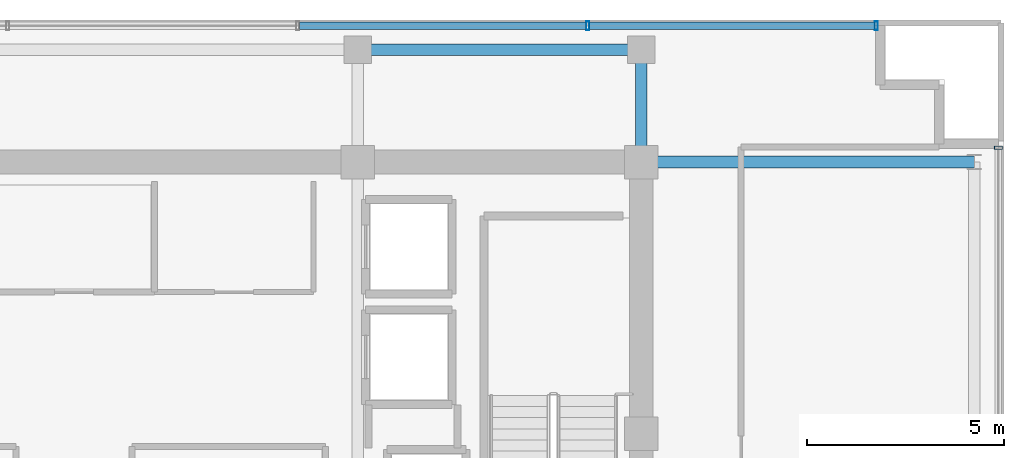
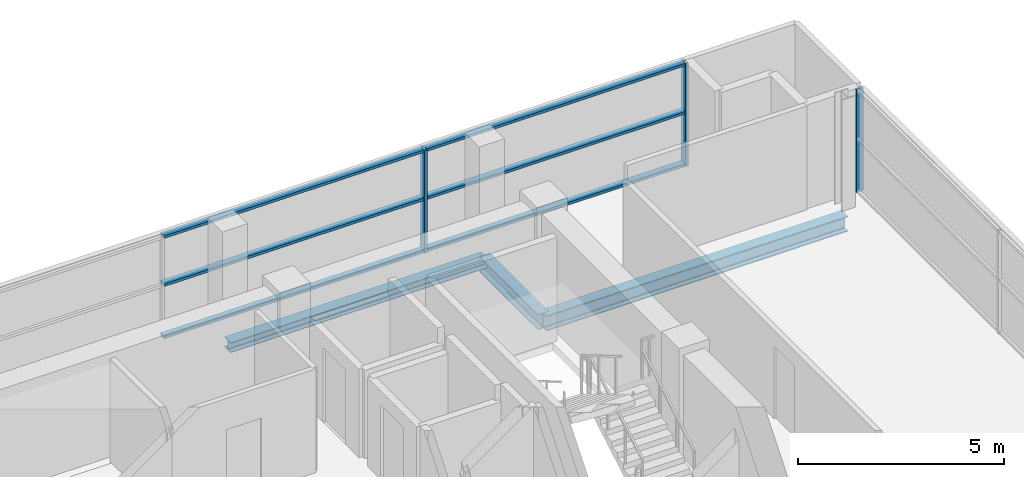
# One storey, part 13 of 21: 9 members, 3 beams, 2 elements without a shape of their own.
"""IFC4 building model written with IfcOpenShell, lengths in metres."""

from ifc_helpers import new_model, si_unit, direction, frame, origin, origin_2d, place, context, subcontext, project, spatial, hollow_rectangle, i_section, extrude, source, transform, mapped, material, layer, layer_set, material_profile, profile_set, type_object, element, aggregate, save


model = new_model("IFC4")

# Units and contexts
model_context = context("Model", 3, precision=1e-05, world=origin(), true_north=direction((0.0, 1.0)))
body_context = subcontext(model_context, "Body", "Model", "MODEL_VIEW")
ifc_project = project(units=[si_unit("LENGTHUNIT", "METRE"), si_unit("AREAUNIT", "SQUARE_METRE"), si_unit("VOLUMEUNIT", "CUBIC_METRE"), si_unit("PLANEANGLEUNIT", "RADIAN"), si_unit("MASSUNIT", "GRAM", prefix="KILO")], contexts=[model_context])

# Site, building, storey
site_placement = place(None, origin())
site = spatial("IfcSite", under=ifc_project, at=site_placement, CompositionType="ELEMENT")
building_placement = place(site_placement, origin())
building = spatial("IfcBuilding", under=site, at=building_placement, Name="Zarnakvel Exchange Tower", CompositionType="ELEMENT")
storey_placement = place(building_placement, frame((0.0, 0.0, 241.89990234375)))
storey = spatial("IfcBuildingStorey", under=building, at=storey_placement, Name="L68", CompositionType="ELEMENT", Elevation=241.89990234375)

# Beams
ifc_material_1 = material(Name="Steel S355", Category="steel")
ifc_material_profile_1 = material_profile(ifc_material_1, i_section(OverallWidth=0.300048828125, OverallDepth=0.449951171875, WebThickness=0.013916015625, FlangeThickness=0.02587890625, FilletRadius=0.027099609375, at=origin_2d()))
ifc_profile_set_1 = profile_set([ifc_material_profile_1], Name="Steel S355")
beam_type_1 = type_object("IfcBeamType", Name="G-07", PredefinedType="BEAM", material=ifc_profile_set_1)
beam_1_placement = place(storey_placement, frame((14.39990234375, 13.5, -0.449951171875), z_axis=(1.0, 0.0, 0.0), x_axis=(0.0, 1.0, 0.0)))
element("IfcBeam", 1, at=beam_1_placement, inside=storey, type_object=beam_type_1, Name="L68 Tower E-W Frame Beam", PredefinedType="BEAM", context=body_context, shape_type="SweptSolid", body=[
    extrude(i_section(OverallWidth=0.300048828125, OverallDepth=0.449951171875, WebThickness=0.013916015625, FlangeThickness=0.02587890625, FilletRadius=0.027099609375, at=origin_2d()), origin(), (0.0, 0.0, 1.0), 8.4501953125),
])
beam_2_placement = place(storey_placement, frame((14.39990234375, 13.5, -0.449951171875), z_axis=(0.0, 1.0, 0.0), x_axis=(-1.0, 0.0, 0.0)))
element("IfcBeam", 2, at=beam_2_placement, inside=storey, type_object=beam_type_1, Name="L68 Tower N-S Frame Beam", PredefinedType="BEAM", context=body_context, shape_type="SweptSolid", body=[
    extrude(i_section(OverallWidth=0.300048828125, OverallDepth=0.449951171875, WebThickness=0.013916015625, FlangeThickness=0.02587890625, FilletRadius=0.027099609375, at=origin_2d()), origin(), (0.0, 0.0, 1.0), 2.85009765625),
])
ifc_material_profile_2 = material_profile(ifc_material_1, i_section(OverallWidth=0.300048828125, OverallDepth=0.300048828125, WebThickness=0.010986328125, FlangeThickness=0.01904296875, FilletRadius=0.027099609375, at=origin_2d()))
ifc_profile_set_2 = profile_set([ifc_material_profile_2], Name="Steel S355")
beam_type_2 = type_object("IfcBeamType", Name="SP-03", PredefinedType="SPANDREL", material=ifc_profile_set_2)
beam_3_placement = place(storey_placement, frame((7.199951171875, 16.35009765625, -0.375), z_axis=(1.0, 0.0, 0.0), x_axis=(0.0, 1.0, 0.0)))
element("IfcBeam", 3, at=beam_3_placement, inside=storey, type_object=beam_type_2, Name="L68 Tower E-W Frame Beam", PredefinedType="SPANDREL", context=body_context, shape_type="SweptSolid", body=[
    extrude(i_section(OverallWidth=0.300048828125, OverallDepth=0.300048828125, WebThickness=0.010986328125, FlangeThickness=0.01904296875, FilletRadius=0.027099609375, at=origin_2d()), origin(), (0.0, 0.0, 1.0), 7.199951171875),
])

# Curtain wall, member
ifc_material_2 = material(Name="Architectural Bronze Anodised Aluminium", Category="aluminium")
ifc_layer_1 = layer(ifc_material_2, 0.199951171875)
ifc_layer_set_1 = layer_set([ifc_layer_1], Name="Architectural Bronze Anodised Aluminium")
curtain_wall_type_1 = type_object("IfcCurtainWallType", Name="CW-04", PredefinedType="NOTDEFINED", material=ifc_layer_set_1)
curtain_wall_1_placement = place(storey_placement, origin())
curtain_wall_1 = element("IfcCurtainWall", 4, at=curtain_wall_1_placement, inside=storey, type_object=curtain_wall_type_1, Name="L68 Curtain Wall CW-L68-E1 (CW-04)", PredefinedType="NOTDEFINED")
ifc_material_profile_3 = material_profile(ifc_material_2, hollow_rectangle(XDim=0.199951171875, YDim=0.074951171875, WallThickness=0.0048828125, at=origin_2d()))
ifc_profile_set_3 = profile_set([ifc_material_profile_3], Name="Architectural Bronze Anodised Aluminium")
member_type_1 = type_object("IfcMemberType", Name="CWM-04", PredefinedType="MULLION", material=ifc_profile_set_3)
shared_shape_1 = source(origin(), body_context, "Body", "SweptSolid", [
    extrude(hollow_rectangle(XDim=0.199951171875, YDim=0.074951171875, WallThickness=0.0048828125, at=origin_2d()), origin(), (0.0, 0.0, 1.0), 3.05517578125),
])
member_1_placement = place(storey_placement, frame((23.4599609375, 13.862548828125, 0.0), z_axis=(0.0, 0.0, 1.0), x_axis=(-1.0, 0.0, 0.0)))
member_1 = element("IfcMember", 5, at=member_1_placement, type_object=member_type_1, Name="CW-04 mullion 5", PredefinedType="MULLION", context=body_context, shape_type="MappedRepresentation", body=[
    mapped(shared_shape_1, transform((0.0, 0.0, 0.0), x_axis=(1.0, 0.0, 0.0), y_axis=(0.0, 1.0, 0.0), z_axis=(0.0, 0.0, 1.0), scale=1.0)),
])
aggregate(curtain_wall_1, [member_1])

# Curtain wall, members
ifc_layer_2 = layer(ifc_material_2, 0.219970703125)
ifc_layer_set_2 = layer_set([ifc_layer_2], Name="Architectural Bronze Anodised Aluminium")
curtain_wall_type_2 = type_object("IfcCurtainWallType", Name="CW-03", PredefinedType="NOTDEFINED", material=ifc_layer_set_2)
curtain_wall_2_placement = place(storey_placement, origin())
curtain_wall_2 = element("IfcCurtainWall", 6, at=curtain_wall_2_placement, inside=storey, type_object=curtain_wall_type_2, Name="L68 Curtain Wall CW-L68-N1 (CW-03)", PredefinedType="NOTDEFINED")
ifc_material_profile_4 = material_profile(ifc_material_2, hollow_rectangle(XDim=0.219970703125, YDim=0.080078125, WallThickness=0.0048828125, at=origin_2d()))
ifc_profile_set_4 = profile_set([ifc_material_profile_4], Name="Architectural Bronze Anodised Aluminium")
member_type_2 = type_object("IfcMemberType", Name="CWM-03", PredefinedType="MULLION", material=ifc_profile_set_4)
shared_shape_2 = source(origin(), body_context, "Body", "SweptSolid", [
    extrude(hollow_rectangle(XDim=0.219970703125, YDim=0.080078125, WallThickness=0.0048828125, at=origin_2d()), origin(), (0.0, 0.0, 1.0), 3.05517578125),
])
member_2_placement = place(storey_placement, frame((13.0400390625, 16.9599609375, 0.0), z_axis=(0.0, 0.0, 1.0), x_axis=(0.0, 1.0, 0.0)))
member_2 = element("IfcMember", 7, at=member_2_placement, type_object=member_type_2, Name="CW-03 mullion 5", PredefinedType="MULLION", context=body_context, shape_type="MappedRepresentation", body=[
    mapped(shared_shape_2, transform((0.0, 0.0, 0.0), x_axis=(1.0, 0.0, 0.0), y_axis=(0.0, 1.0, 0.0), z_axis=(0.0, 0.0, 1.0), scale=1.0)),
])
member_3_placement = place(storey_placement, frame((20.360107421875, 16.9599609375, 0.0), z_axis=(0.0, 0.0, 1.0), x_axis=(0.0, 1.0, 0.0)))
member_3 = element("IfcMember", 8, at=member_3_placement, type_object=member_type_2, Name="CW-03 mullion 6", PredefinedType="MULLION", context=body_context, shape_type="MappedRepresentation", body=[
    mapped(shared_shape_2, transform((0.0, 0.0, 0.0), x_axis=(1.0, 0.0, 0.0), y_axis=(0.0, 1.0, 0.0), z_axis=(0.0, 0.0, 1.0), scale=1.0)),
])
ifc_material_profile_5 = material_profile(ifc_material_2, hollow_rectangle(XDim=0.179931640625, YDim=0.080078125, WallThickness=0.00390625, at=origin_2d()))
ifc_profile_set_5 = profile_set([ifc_material_profile_5], Name="Architectural Bronze Anodised Aluminium")
member_type_3 = type_object("IfcMemberType", Name="CWT-03", PredefinedType="USERDEFINED", material=ifc_profile_set_5)
shared_shape_3 = source(origin(), body_context, "Body", "SweptSolid", [
    extrude(hollow_rectangle(XDim=0.179931640625, YDim=0.080078125, WallThickness=0.00390625, at=origin_2d()), origin(), (0.0, 0.0, 1.0), 7.239990234375),
])
member_4_placement = place(storey_placement, frame((13.080078125, 16.9599609375, 0.0400390625), z_axis=(1.0, 0.0, 0.0), x_axis=(0.0, 1.0, 0.0)))
member_4 = element("IfcMember", 9, at=member_4_placement, type_object=member_type_3, Name="CW-03 transom 5.1", ObjectType="TRANSOM", PredefinedType="USERDEFINED", context=body_context, shape_type="MappedRepresentation", body=[
    mapped(shared_shape_3, transform((0.0, 0.0, 0.0), x_axis=(1.0, 0.0, 0.0), y_axis=(0.0, 1.0, 0.0), z_axis=(0.0, 0.0, 1.0), scale=1.0)),
])
member_5_placement = place(storey_placement, frame((13.080078125, 16.9599609375, 1.588623046875), z_axis=(1.0, 0.0, 0.0), x_axis=(0.0, 1.0, 0.0)))
member_5 = element("IfcMember", 10, at=member_5_placement, type_object=member_type_3, Name="CW-03 transom 5.2", ObjectType="TRANSOM", PredefinedType="USERDEFINED", context=body_context, shape_type="MappedRepresentation", body=[
    mapped(shared_shape_3, transform((0.0, 0.0, 0.0), x_axis=(1.0, 0.0, 0.0), y_axis=(0.0, 1.0, 0.0), z_axis=(0.0, 0.0, 1.0), scale=1.0)),
])
member_6_placement = place(storey_placement, frame((13.080078125, 16.9599609375, 3.01513671875), z_axis=(1.0, 0.0, 0.0), x_axis=(0.0, 1.0, 0.0)))
member_6 = element("IfcMember", 11, at=member_6_placement, type_object=member_type_3, Name="CW-03 transom 5.3", ObjectType="TRANSOM", PredefinedType="USERDEFINED", context=body_context, shape_type="MappedRepresentation", body=[
    mapped(shared_shape_3, transform((0.0, 0.0, 0.0), x_axis=(1.0, 0.0, 0.0), y_axis=(0.0, 1.0, 0.0), z_axis=(0.0, 0.0, 1.0), scale=1.0)),
])
shared_shape_4 = source(origin(), body_context, "Body", "SweptSolid", [
    extrude(hollow_rectangle(XDim=0.179931640625, YDim=0.080078125, WallThickness=0.00390625, at=origin_2d()), origin(), (0.0, 0.0, 1.0), 7.280029296875),
])
member_7_placement = place(storey_placement, frame((5.719970703125, 16.9599609375, 0.0400390625), z_axis=(1.0, 0.0, 0.0), x_axis=(0.0, 1.0, 0.0)))
member_7 = element("IfcMember", 12, at=member_7_placement, type_object=member_type_3, Name="CW-03 transom 4.1", ObjectType="TRANSOM", PredefinedType="USERDEFINED", context=body_context, shape_type="MappedRepresentation", body=[
    mapped(shared_shape_4, transform((0.0, 0.0, 0.0), x_axis=(1.0, 0.0, 0.0), y_axis=(0.0, 1.0, 0.0), z_axis=(0.0, 0.0, 1.0), scale=1.0)),
])
member_8_placement = place(storey_placement, frame((5.719970703125, 16.9599609375, 1.588623046875), z_axis=(1.0, 0.0, 0.0), x_axis=(0.0, 1.0, 0.0)))
member_8 = element("IfcMember", 13, at=member_8_placement, type_object=member_type_3, Name="CW-03 transom 4.2", ObjectType="TRANSOM", PredefinedType="USERDEFINED", context=body_context, shape_type="MappedRepresentation", body=[
    mapped(shared_shape_4, transform((0.0, 0.0, 0.0), x_axis=(1.0, 0.0, 0.0), y_axis=(0.0, 1.0, 0.0), z_axis=(0.0, 0.0, 1.0), scale=1.0)),
])
member_9_placement = place(storey_placement, frame((5.719970703125, 16.9599609375, 3.01513671875), z_axis=(1.0, 0.0, 0.0), x_axis=(0.0, 1.0, 0.0)))
member_9 = element("IfcMember", 14, at=member_9_placement, type_object=member_type_3, Name="CW-03 transom 4.3", ObjectType="TRANSOM", PredefinedType="USERDEFINED", context=body_context, shape_type="MappedRepresentation", body=[
    mapped(shared_shape_4, transform((0.0, 0.0, 0.0), x_axis=(1.0, 0.0, 0.0), y_axis=(0.0, 1.0, 0.0), z_axis=(0.0, 0.0, 1.0), scale=1.0)),
])
aggregate(curtain_wall_2, [member_2, member_3, member_7, member_8, member_9, member_4, member_5, member_6])

save(model, "model.ifc")
